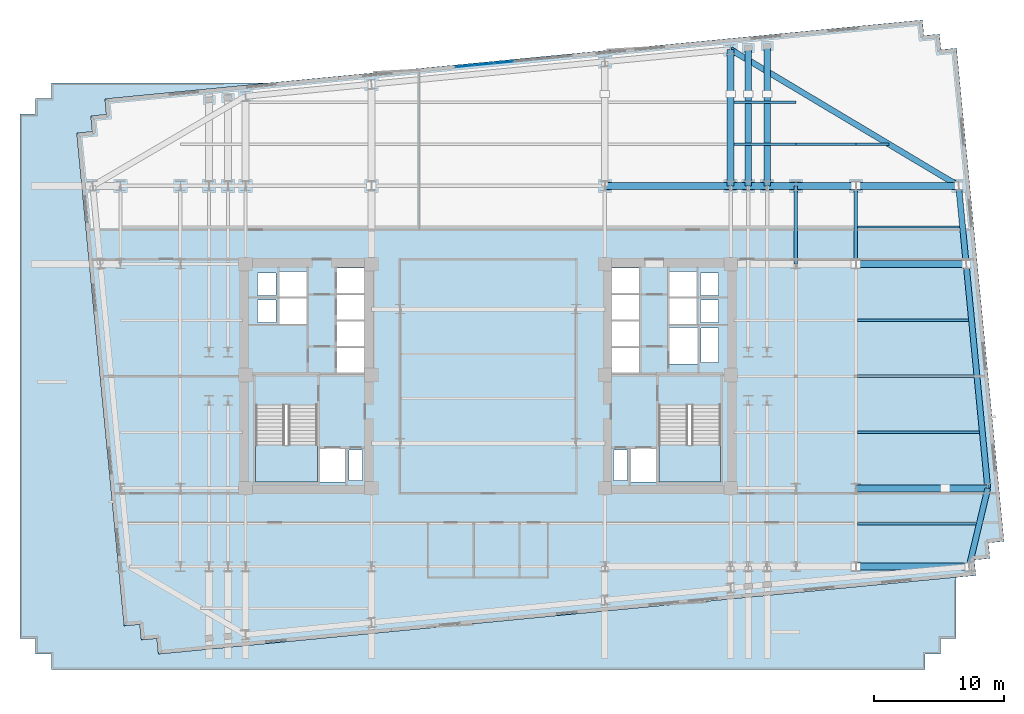
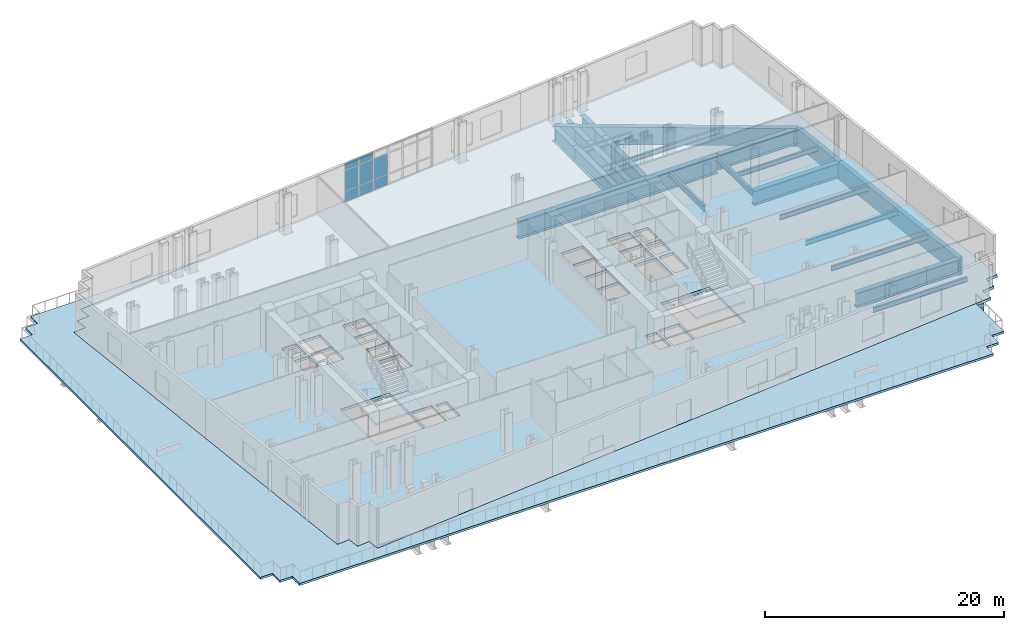
# One storey, part 4 of 14: 27 beams, 8 plates, 4 slabs, 3 elements without a shape of their own.
"""IFC4 building model written with IfcOpenShell, lengths in metres."""

from ifc_helpers import new_model, si_unit, direction, frame, origin, origin_2d, place, context, subcontext, project, spatial, polyline, rectangle, i_section, outline, extrude, material, layer, layer_set, material_profile, profile_set, type_object, element, aggregate, save


model = new_model("IFC4")

# Units and contexts
model_context = context("Model", 3, precision=1e-05, world=origin(), true_north=direction((0.0, 1.0)))
body_context = subcontext(model_context, "Body", "Model", "MODEL_VIEW")
ifc_project = project(units=[si_unit("LENGTHUNIT", "METRE"), si_unit("AREAUNIT", "SQUARE_METRE"), si_unit("VOLUMEUNIT", "CUBIC_METRE"), si_unit("PLANEANGLEUNIT", "RADIAN"), si_unit("MASSUNIT", "GRAM", prefix="KILO")], contexts=[model_context])

# Site, building, storey
site_placement = place(None, origin())
site = spatial("IfcSite", under=ifc_project, at=site_placement, CompositionType="ELEMENT")
building_placement = place(site_placement, origin())
building = spatial("IfcBuilding", under=site, at=building_placement, Name="Velakula Bourse", CompositionType="ELEMENT")
storey_placement = place(building_placement, frame((0.0, 0.0, 70.0)))
storey = spatial("IfcBuildingStorey", under=building, at=storey_placement, Name="L18", CompositionType="ELEMENT", Elevation=70.0)

# Beams
ifc_material_1 = material(Name="Steel IS 2062 Grade 350 (E350)", Category="steel")
ifc_material_profile_1 = material_profile(ifc_material_1, i_section(OverallWidth=0.25, OverallDepth=0.60009765625, WebThickness=0.01171875, FlangeThickness=0.023681640625, at=origin_2d()), Name="Steel IS 2062 Grade 350 (E350)")
ifc_profile_set_1 = profile_set([ifc_material_profile_1], Name="Steel IS 2062 Grade 350 (E350)")
beam_type_1 = type_object("IfcBeamType", Name="BM-GRD-600H", PredefinedType="BEAM", material=ifc_profile_set_1)
for number, where, z_axis, x_axis, name in (
    (1, (23.60009765625, 8.60009765625, -0.580078125), (0.0, 1.0, 0.0), (-1.0, 0.0, 0.0), "L18 Fulcrum Grid Girder MWG-ENS3"),
    (2, (28.199951171875, 8.60009765625, -0.580078125), (0.0, 1.0, 0.0), (-1.0, 0.0, 0.0), "L18 Fulcrum Grid Girder WNG-ENS3"),
):
    element("IfcBeam", number, at=place(storey_placement, frame(where, z_axis=z_axis, x_axis=x_axis)), inside=storey, type_object=beam_type_1, Name=name, PredefinedType="BEAM", context=body_context, shape_type="SweptSolid", body=[
        extrude(i_section(OverallWidth=0.25, OverallDepth=0.60009765625, WebThickness=0.01171875, FlangeThickness=0.023681640625, at=origin_2d()), origin(), (0.0, 0.0, 1.0), 6.0),
    ])
ifc_material_profile_2 = material_profile(ifc_material_1, i_section(OverallWidth=0.179931640625, OverallDepth=0.5, WebThickness=0.01025390625, FlangeThickness=0.01708984375, at=origin_2d()), Name="Steel IS 2062 Grade 350 (E350)")
ifc_profile_set_2 = profile_set([ifc_material_profile_2], Name="Steel IS 2062 Grade 350 (E350)")
beam_type_2 = type_object("IfcBeamType", Name="JST-TWR-500", PredefinedType="JOIST", material=ifc_profile_set_2)
beam_1_placement = place(storey_placement, frame((28.324951171875, -11.300048828125, -0.530029296875), z_axis=(1.0, 0.0, 0.0), x_axis=(0.0, 1.0, 0.0)))
element("IfcBeam", 3, at=beam_1_placement, inside=storey, type_object=beam_type_2, Name="L18 Trading Floor Composite Joist 11", PredefinedType="JOIST", context=body_context, shape_type="SweptSolid", body=[
    extrude(i_section(OverallWidth=0.179931640625, OverallDepth=0.5, WebThickness=0.01025390625, FlangeThickness=0.01708984375, at=origin_2d()), origin(), (0.0, 0.0, 1.0), 9.119384765625),
])
beam_2_placement = place(storey_placement, frame((28.324951171875, 11.449951171875, -0.530029296875), z_axis=(1.0, 0.0, 0.0), x_axis=(0.0, 1.0, 0.0)))
element("IfcBeam", 4, at=beam_2_placement, inside=storey, type_object=beam_type_2, Name="L18 Trading Floor Composite Joist 19", PredefinedType="JOIST", context=body_context, shape_type="SweptSolid", body=[
    extrude(i_section(OverallWidth=0.179931640625, OverallDepth=0.5, WebThickness=0.01025390625, FlangeThickness=0.01708984375, at=origin_2d()), origin(), (0.0, 0.0, 1.0), 7.838134765625),
])
beam_3_placement = place(storey_placement, frame((18.860107421875, 17.800048828125, -0.530029296875), z_axis=(1.0, 0.0, 0.0), x_axis=(0.0, 1.0, 0.0)))
element("IfcBeam", 5, at=beam_3_placement, inside=storey, type_object=beam_type_2, Name="L18 Trading Floor Composite Joist 24", PredefinedType="JOIST", context=body_context, shape_type="SweptSolid", body=[
    extrude(i_section(OverallWidth=0.179931640625, OverallDepth=0.5, WebThickness=0.01025390625, FlangeThickness=0.01708984375, at=origin_2d()), origin(), (0.0, 0.0, 1.0), 4.739990234375),
])
beam_4_placement = place(storey_placement, frame((23.60009765625, 17.800048828125, -0.530029296875), z_axis=(1.0, 0.0, 0.0), x_axis=(0.0, 1.0, 0.0)))
element("IfcBeam", 6, at=beam_4_placement, inside=storey, type_object=beam_type_2, Name="L18 Trading Floor Composite Joist 25", PredefinedType="JOIST", context=body_context, shape_type="SweptSolid", body=[
    extrude(i_section(OverallWidth=0.179931640625, OverallDepth=0.5, WebThickness=0.01025390625, FlangeThickness=0.01708984375, at=origin_2d()), origin(), (0.0, 0.0, 1.0), 4.599853515625),
])
beam_5_placement = place(storey_placement, frame((28.199951171875, 17.800048828125, -0.530029296875), z_axis=(1.0, 0.0, 0.0), x_axis=(0.0, 1.0, 0.0)))
element("IfcBeam", 7, at=beam_5_placement, inside=storey, type_object=beam_type_2, Name="L18 Trading Floor Composite Joist 26", PredefinedType="JOIST", context=body_context, shape_type="SweptSolid", body=[
    extrude(i_section(OverallWidth=0.179931640625, OverallDepth=0.5, WebThickness=0.01025390625, FlangeThickness=0.01708984375, at=origin_2d()), origin(), (0.0, 0.0, 1.0), 2.53173828125),
])
beam_6_placement = place(storey_placement, frame((18.860107421875, 21.0, -0.530029296875), z_axis=(1.0, 0.0, 0.0), x_axis=(0.0, 1.0, 0.0)))
element("IfcBeam", 8, at=beam_6_placement, inside=storey, type_object=beam_type_2, Name="L18 Trading Floor Composite Joist 30", PredefinedType="JOIST", context=body_context, shape_type="SweptSolid", body=[
    extrude(i_section(OverallWidth=0.179931640625, OverallDepth=0.5, WebThickness=0.01025390625, FlangeThickness=0.01708984375, at=origin_2d()), origin(), (0.0, 0.0, 1.0), 4.739990234375),
])
beam_7_placement = place(storey_placement, frame((28.324951171875, -4.300048828125, -0.530029296875), z_axis=(1.0, 0.0, 0.0), x_axis=(0.0, 1.0, 0.0)))
element("IfcBeam", 9, at=beam_7_placement, inside=storey, type_object=beam_type_2, Name="L18 Trading Floor Composite Joist 37", PredefinedType="JOIST", context=body_context, shape_type="SweptSolid", body=[
    extrude(i_section(OverallWidth=0.179931640625, OverallDepth=0.5, WebThickness=0.01025390625, FlangeThickness=0.01708984375, at=origin_2d()), origin(), (0.0, 0.0, 1.0), 9.354736328125),
])
beam_8_placement = place(storey_placement, frame((28.324951171875, 0.0, -0.530029296875), z_axis=(1.0, 0.0, 0.0), x_axis=(0.0, 1.0, 0.0)))
element("IfcBeam", 10, at=beam_8_placement, inside=storey, type_object=beam_type_2, Name="L18 Trading Floor Composite Joist 42", PredefinedType="JOIST", context=body_context, shape_type="SweptSolid", body=[
    extrude(i_section(OverallWidth=0.179931640625, OverallDepth=0.5, WebThickness=0.01025390625, FlangeThickness=0.01708984375, at=origin_2d()), origin(), (0.0, 0.0, 1.0), 8.940673828125),
])
beam_9_placement = place(storey_placement, frame((28.324951171875, 4.300048828125, -0.530029296875), z_axis=(1.0, 0.0, 0.0), x_axis=(0.0, 1.0, 0.0)))
element("IfcBeam", 11, at=beam_9_placement, inside=storey, type_object=beam_type_2, Name="L18 Trading Floor Composite Joist 47", PredefinedType="JOIST", context=body_context, shape_type="SweptSolid", body=[
    extrude(i_section(OverallWidth=0.179931640625, OverallDepth=0.5, WebThickness=0.01025390625, FlangeThickness=0.01708984375, at=origin_2d()), origin(), (0.0, 0.0, 1.0), 8.526611328125),
])
ifc_material_2 = material(Name="Concrete M50 (fck 50 MPa)", Category="concrete")
ifc_material_profile_3 = material_profile(ifc_material_2, rectangle(XDim=0.449951171875, YDim=1.800048828125, at=origin_2d()), Name="Concrete M50 (fck 50 MPa)")
ifc_profile_set_3 = profile_set([ifc_material_profile_3], Name="Concrete M50 (fck 50 MPa)")
beam_type_3 = type_object("IfcBeamType", Name="SPN-TRF-1800", PredefinedType="SPANDREL", material=ifc_profile_set_3)
beam_10_placement = place(storey_placement, frame((36.88818359375, -14.60009765625, -1.179931640625), z_axis=(0.232091371601, 0.972693988482, 0.0), x_axis=(-0.972693988482, 0.232091371601, 0.0)))
element("IfcBeam", 12, at=beam_10_placement, inside=storey, type_object=beam_type_3, Name="L18 Brick-Faced Precast Spandrel E1-E2", PredefinedType="SPANDREL", context=body_context, shape_type="SweptSolid", body=[
    extrude(rectangle(XDim=0.449951171875, YDim=1.800048828125, at=origin_2d()), origin(), (0.0, 0.0, 1.0), 6.16845703125),
])
beam_11_placement = place(storey_placement, frame((38.31982421875, -8.60009765625, -1.179931640625), z_axis=(-0.095849167925, 0.995395869495, 0.0), x_axis=(-0.995395869495, -0.095849167925, 0.0)))
element("IfcBeam", 13, at=beam_11_placement, inside=storey, type_object=beam_type_3, Name="L18 Brick-Faced Precast Spandrel E2-E3", PredefinedType="SPANDREL", context=body_context, shape_type="SweptSolid", body=[
    extrude(rectangle(XDim=0.449951171875, YDim=1.800048828125, at=origin_2d()), origin(), (0.0, 0.0, 1.0), 17.27978515625),
])
beam_12_placement = place(storey_placement, frame((36.66357421875, 8.60009765625, -1.179931640625), z_axis=(-0.095829714309, 0.995397742541, 0.0), x_axis=(-0.995397742541, -0.095829714309, 0.0)))
element("IfcBeam", 14, at=beam_12_placement, inside=storey, type_object=beam_type_3, Name="L18 Brick-Faced Precast Spandrel E3-E4", PredefinedType="SPANDREL", context=body_context, shape_type="SweptSolid", body=[
    extrude(rectangle(XDim=0.449951171875, YDim=1.800048828125, at=origin_2d()), origin(), (0.0, 0.0, 1.0), 6.02783203125),
])
beam_13_placement = place(storey_placement, frame((36.0859375, 14.60009765625, -1.179931640625), z_axis=(-0.858375715449, 0.513021569846, 0.0), x_axis=(-0.513021569846, -0.858375715449, 0.0)))
element("IfcBeam", 15, at=beam_13_placement, inside=storey, type_object=beam_type_3, Name="L18 Brick-Faced Precast Spandrel E4-N4", PredefinedType="SPANDREL", context=body_context, shape_type="SweptSolid", body=[
    extrude(rectangle(XDim=0.449951171875, YDim=1.800048828125, at=origin_2d()), origin(), (0.0, 0.0, 1.0), 20.370849609375),
])
ifc_material_3 = material(Name="Steel IS 2062 Grade 450 (E450)", Category="steel")
ifc_material_profile_4 = material_profile(ifc_material_3, i_section(OverallWidth=0.52001953125, OverallDepth=1.5, WebThickness=0.030029296875, FlangeThickness=0.048095703125, at=origin_2d()), Name="Steel IS 2062 Grade 450 (E450)")
ifc_profile_set_4 = profile_set([ifc_material_profile_4], Name="Steel IS 2062 Grade 450 (E450)")
beam_type_4 = type_object("IfcBeamType", Name="TB-CANT-1500", PredefinedType="BEAM", material=ifc_profile_set_4)
beam_14_placement = place(storey_placement, frame((18.60009765625, 14.60009765625, -1.030029296875), z_axis=(0.0, 1.0, 0.0), x_axis=(-1.0, 0.0, 0.0)))
element("IfcBeam", 16, at=beam_14_placement, inside=storey, type_object=beam_type_4, Name="L18 Collinear Transfer Back-Span Girder N4", PredefinedType="BEAM", context=body_context, shape_type="SweptSolid", body=[
    extrude(i_section(OverallWidth=0.52001953125, OverallDepth=1.5, WebThickness=0.030029296875, FlangeThickness=0.048095703125, at=origin_2d()), origin(), (0.0, 0.0, 1.0), 7.0498046875),
])
beam_15_placement = place(storey_placement, frame((18.60009765625, 21.64990234375, -1.030029296875), z_axis=(0.0, 1.0, 0.0), x_axis=(-1.0, 0.0, 0.0)))
element("IfcBeam", 17, at=beam_15_placement, inside=storey, type_object=beam_type_4, Name="L18 Primary Cantilever Transfer Chord N4", PredefinedType="BEAM", context=body_context, shape_type="SweptSolid", body=[
    extrude(i_section(OverallWidth=0.52001953125, OverallDepth=1.5, WebThickness=0.030029296875, FlangeThickness=0.048095703125, at=origin_2d()), origin(), (0.0, 0.0, 1.0), 3.40087890625),
])
beam_16_placement = place(storey_placement, frame((28.199951171875, -14.60009765625, -1.030029296875), z_axis=(1.0, 0.0, 0.0), x_axis=(0.0, 1.0, 0.0)))
element("IfcBeam", 18, at=beam_16_placement, inside=storey, type_object=beam_type_4, Name="L18 Primary Cantilever Transfer Chord E1", PredefinedType="BEAM", context=body_context, shape_type="SweptSolid", body=[
    extrude(i_section(OverallWidth=0.52001953125, OverallDepth=1.5, WebThickness=0.030029296875, FlangeThickness=0.048095703125, at=origin_2d()), origin(), (0.0, 0.0, 1.0), 8.688232421875),
])
beam_17_placement = place(storey_placement, frame((28.199951171875, -8.60009765625, -1.030029296875), z_axis=(1.0, 0.0, 0.0), x_axis=(0.0, 1.0, 0.0)))
element("IfcBeam", 19, at=beam_17_placement, inside=storey, type_object=beam_type_4, Name="L18 Collinear Transfer Back-Span Girder E2", PredefinedType="BEAM", context=body_context, shape_type="SweptSolid", body=[
    extrude(i_section(OverallWidth=0.52001953125, OverallDepth=1.5, WebThickness=0.030029296875, FlangeThickness=0.048095703125, at=origin_2d()), origin(), (0.0, 0.0, 1.0), 6.85009765625),
])
beam_18_placement = place(storey_placement, frame((35.050048828125, -8.60009765625, -1.030029296875), z_axis=(1.0, 0.0, 0.0), x_axis=(0.0, 1.0, 0.0)))
element("IfcBeam", 20, at=beam_18_placement, inside=storey, type_object=beam_type_4, Name="L18 Primary Cantilever Transfer Chord E2", PredefinedType="BEAM", context=body_context, shape_type="SweptSolid", body=[
    extrude(i_section(OverallWidth=0.52001953125, OverallDepth=1.5, WebThickness=0.030029296875, FlangeThickness=0.048095703125, at=origin_2d()), origin(), (0.0, 0.0, 1.0), 3.269775390625),
])
beam_19_placement = place(storey_placement, frame((28.199951171875, 8.60009765625, -1.030029296875), z_axis=(1.0, 0.0, 0.0), x_axis=(0.0, 1.0, 0.0)))
element("IfcBeam", 21, at=beam_19_placement, inside=storey, type_object=beam_type_4, Name="L18 Primary Cantilever Transfer Chord E3", PredefinedType="BEAM", context=body_context, shape_type="SweptSolid", body=[
    extrude(i_section(OverallWidth=0.52001953125, OverallDepth=1.5, WebThickness=0.030029296875, FlangeThickness=0.048095703125, at=origin_2d()), origin(), (0.0, 0.0, 1.0), 8.463623046875),
])
beam_20_placement = place(storey_placement, frame((28.199951171875, 14.60009765625, -1.030029296875), z_axis=(1.0, 0.0, 0.0), x_axis=(0.0, 1.0, 0.0)))
element("IfcBeam", 22, at=beam_20_placement, inside=storey, type_object=beam_type_4, Name="L18 Primary Cantilever Transfer Chord E4", PredefinedType="BEAM", context=body_context, shape_type="SweptSolid", body=[
    extrude(i_section(OverallWidth=0.52001953125, OverallDepth=1.5, WebThickness=0.030029296875, FlangeThickness=0.048095703125, at=origin_2d()), origin(), (0.0, 0.0, 1.0), 7.885986328125),
])
beam_21_placement = place(storey_placement, frame((19.949951171875, 14.60009765625, -1.030029296875), z_axis=(0.0, 1.0, 0.0), x_axis=(-1.0, 0.0, 0.0)))
element("IfcBeam", 23, at=beam_21_placement, inside=storey, type_object=beam_type_4, Name="L18 Collinear Transfer Back-Span Girder P07", PredefinedType="BEAM", context=body_context, shape_type="SweptSolid", body=[
    extrude(i_section(OverallWidth=0.52001953125, OverallDepth=1.5, WebThickness=0.030029296875, FlangeThickness=0.048095703125, at=origin_2d()), origin(), (0.0, 0.0, 1.0), 7.0498046875),
])
beam_22_placement = place(storey_placement, frame((19.949951171875, 21.64990234375, -1.030029296875), z_axis=(0.0, 1.0, 0.0), x_axis=(-1.0, 0.0, 0.0)))
element("IfcBeam", 24, at=beam_22_placement, inside=storey, type_object=beam_type_4, Name="L18 Primary Cantilever Transfer Chord P07", PredefinedType="BEAM", context=body_context, shape_type="SweptSolid", body=[
    extrude(i_section(OverallWidth=0.52001953125, OverallDepth=1.5, WebThickness=0.030029296875, FlangeThickness=0.048095703125, at=origin_2d()), origin(), (0.0, 0.0, 1.0), 3.531005859375),
])
beam_23_placement = place(storey_placement, frame((21.39990234375, 14.60009765625, -1.030029296875), z_axis=(0.0, 1.0, 0.0), x_axis=(-1.0, 0.0, 0.0)))
element("IfcBeam", 25, at=beam_23_placement, inside=storey, type_object=beam_type_4, Name="L18 Collinear Transfer Back-Span Girder P08", PredefinedType="BEAM", context=body_context, shape_type="SweptSolid", body=[
    extrude(i_section(OverallWidth=0.52001953125, OverallDepth=1.5, WebThickness=0.030029296875, FlangeThickness=0.048095703125, at=origin_2d()), origin(), (0.0, 0.0, 1.0), 7.0498046875),
])
beam_24_placement = place(storey_placement, frame((21.39990234375, 21.64990234375, -1.030029296875), z_axis=(0.0, 1.0, 0.0), x_axis=(-1.0, 0.0, 0.0)))
element("IfcBeam", 26, at=beam_24_placement, inside=storey, type_object=beam_type_4, Name="L18 Primary Cantilever Transfer Chord P08", PredefinedType="BEAM", context=body_context, shape_type="SweptSolid", body=[
    extrude(i_section(OverallWidth=0.52001953125, OverallDepth=1.5, WebThickness=0.030029296875, FlangeThickness=0.048095703125, at=origin_2d()), origin(), (0.0, 0.0, 1.0), 3.670654296875),
])
ifc_material_profile_5 = material_profile(ifc_material_3, i_section(OverallWidth=0.550048828125, OverallDepth=1.800048828125, WebThickness=0.031982421875, FlangeThickness=0.048095703125, at=origin_2d()), Name="Steel IS 2062 Grade 450 (E450)")
ifc_profile_set_5 = profile_set([ifc_material_profile_5], Name="Steel IS 2062 Grade 450 (E450)")
beam_type_5 = type_object("IfcBeamType", Name="TB-CANT-1800", PredefinedType="BEAM", material=ifc_profile_set_5)
beam_25_placement = place(storey_placement, frame((8.949951171875, 14.60009765625, -1.179931640625), z_axis=(1.0, 0.0, 0.0), x_axis=(0.0, 1.0, 0.0)))
element("IfcBeam", 27, at=beam_25_placement, inside=storey, type_object=beam_type_5, Name="L18 Collinear Transfer Back-Span Girder E4", PredefinedType="BEAM", context=body_context, shape_type="SweptSolid", body=[
    extrude(i_section(OverallWidth=0.550048828125, OverallDepth=1.800048828125, WebThickness=0.031982421875, FlangeThickness=0.048095703125, at=origin_2d()), origin(), (0.0, 0.0, 1.0), 19.25),
])

# Curtain wall, plates
ifc_material_4 = material(Name="Anodised bronze architectural aluminium", Category="aluminium")
ifc_layer_1 = layer(ifc_material_4, 0.1650390625, Name="Anodised bronze architectural aluminium", Category="aluminium")
ifc_layer_set_1 = layer_set([ifc_layer_1], Name="Anodised bronze architectural aluminium")
curtain_wall_type = type_object("IfcCurtainWallType", Name="CW-SL1", PredefinedType="NOTDEFINED", material=ifc_layer_set_1)
curtain_wall_placement = place(storey_placement, origin())
curtain_wall = element("IfcCurtainWall", 28, at=curtain_wall_placement, inside=storey, type_object=curtain_wall_type, Name="L18 Sky-Lobby Feature Curtain Wall", PredefinedType="NOTDEFINED")
ifc_material_5 = material(Name="Double-glazed solar-control Low-E glass", Category="glass")
ifc_layer_2 = layer(ifc_material_5, 0.02490234375, Name="Double-glazed solar-control Low-E glass", Category="glass")
ifc_layer_set_2 = layer_set([ifc_layer_2], Name="Double-glazed solar-control Low-E glass")
plate_type = type_object("IfcPlateType", Name="PNL-CW-SL1", PredefinedType="CURTAIN_PANEL", material=ifc_layer_set_2)
plate_1_placement = place(storey_placement, frame((-1.75341796875, 23.7841796875, 0.06005859375), z_axis=(0.0, 0.0, 1.0), x_axis=(0.995396256016, 0.095845153814, 0.0)))
plate_1 = element("IfcPlate", 29, at=plate_1_placement, type_object=plate_type, Name="CW-SL1 panel 1.1", PredefinedType="CURTAIN_PANEL", context=body_context, shape_type="SweptSolid", body=[
    extrude(rectangle(XDim=1.409912109375, YDim=0.028076171875, at=origin_2d()), origin(), (0.0, 0.0, 1.0), 1.010009765625),
])
plate_2_placement = place(storey_placement, frame((-1.75341796875, 23.7841796875, 1.1298828125), z_axis=(0.0, 0.0, 1.0), x_axis=(0.995396256016, 0.095845153814, 0.0)))
plate_2 = element("IfcPlate", 30, at=plate_2_placement, type_object=plate_type, Name="CW-SL1 panel 1.2", PredefinedType="CURTAIN_PANEL", context=body_context, shape_type="SweptSolid", body=[
    extrude(rectangle(XDim=1.409912109375, YDim=0.028076171875, at=origin_2d()), origin(), (0.0, 0.0, 1.0), 2.090087890625),
])
plate_3_placement = place(storey_placement, frame((-1.75341796875, 23.7841796875, 3.2802734375), z_axis=(0.0, 0.0, 1.0), x_axis=(0.995396256016, 0.095845153814, 0.0)))
plate_3 = element("IfcPlate", 31, at=plate_3_placement, type_object=plate_type, Name="CW-SL1 panel 1.3", PredefinedType="CURTAIN_PANEL", context=body_context, shape_type="SweptSolid", body=[
    extrude(rectangle(XDim=1.409912109375, YDim=0.028076171875, at=origin_2d()), origin(), (0.0, 0.0, 1.0), 0.659912109375),
])
plate_4_placement = place(storey_placement, frame((-0.275390625, 23.926513671875, 0.06005859375), z_axis=(0.0, 0.0, 1.0), x_axis=(0.995396256016, 0.095845153814, 0.0)))
plate_4 = element("IfcPlate", 32, at=plate_4_placement, type_object=plate_type, Name="CW-SL1 panel 2.1", PredefinedType="CURTAIN_PANEL", context=body_context, shape_type="SweptSolid", body=[
    extrude(rectangle(XDim=1.43994140625, YDim=0.028076171875, at=origin_2d()), origin(), (0.0, 0.0, 1.0), 1.010009765625),
])
plate_5_placement = place(storey_placement, frame((-0.275390625, 23.926513671875, 1.1298828125), z_axis=(0.0, 0.0, 1.0), x_axis=(0.995396256016, 0.095845153814, 0.0)))
plate_5 = element("IfcPlate", 33, at=plate_5_placement, type_object=plate_type, Name="CW-SL1 panel 2.2", PredefinedType="CURTAIN_PANEL", context=body_context, shape_type="SweptSolid", body=[
    extrude(rectangle(XDim=1.43994140625, YDim=0.028076171875, at=origin_2d()), origin(), (0.0, 0.0, 1.0), 2.090087890625),
])
plate_6_placement = place(storey_placement, frame((-0.275390625, 23.926513671875, 3.2802734375), z_axis=(0.0, 0.0, 1.0), x_axis=(0.995396256016, 0.095845153814, 0.0)))
plate_6 = element("IfcPlate", 34, at=plate_6_placement, type_object=plate_type, Name="CW-SL1 panel 2.3", PredefinedType="CURTAIN_PANEL", context=body_context, shape_type="SweptSolid", body=[
    extrude(rectangle(XDim=1.43994140625, YDim=0.028076171875, at=origin_2d()), origin(), (0.0, 0.0, 1.0), 0.659912109375),
])
plate_7_placement = place(storey_placement, frame((1.2177734375, 24.0703125, 0.06005859375), z_axis=(0.0, 0.0, 1.0), x_axis=(0.995396256016, 0.095845153814, 0.0)))
plate_7 = element("IfcPlate", 35, at=plate_7_placement, type_object=plate_type, Name="CW-SL1 panel 3.1", PredefinedType="CURTAIN_PANEL", context=body_context, shape_type="SweptSolid", body=[
    extrude(rectangle(XDim=1.43994140625, YDim=0.028076171875, at=origin_2d()), origin(), (0.0, 0.0, 1.0), 1.010009765625),
])
plate_8_placement = place(storey_placement, frame((1.2177734375, 24.0703125, 1.1298828125), z_axis=(0.0, 0.0, 1.0), x_axis=(0.995396256016, 0.095845153814, 0.0)))
plate_8 = element("IfcPlate", 36, at=plate_8_placement, type_object=plate_type, Name="CW-SL1 panel 3.2", PredefinedType="CURTAIN_PANEL", context=body_context, shape_type="SweptSolid", body=[
    extrude(rectangle(XDim=1.43994140625, YDim=0.028076171875, at=origin_2d()), origin(), (0.0, 0.0, 1.0), 2.090087890625),
])
aggregate(curtain_wall, [plate_1, plate_2, plate_3, plate_4, plate_5, plate_6, plate_7, plate_8])

# Stair, slab
ifc_material_6 = material(Name="Concrete M45 (fck 45 MPa)", Category="concrete")
stair_type = type_object("IfcStairType", Name="STR-DOG-435", PredefinedType="HALF_TURN_STAIR", material=ifc_material_6)
stair_1_placement = place(storey_placement, origin())
stair_1 = element("IfcStair", 37, at=stair_1_placement, inside=storey, type_object=stair_type, Name="L18 West Core Exit Stair ST-W1", PredefinedType="HALF_TURN_STAIR")
ifc_layer_3 = layer(ifc_material_6, 0.199951171875, Name="Concrete M45 (fck 45 MPa)", Category="concrete")
ifc_layer_set_3 = layer_set([ifc_layer_3], Name="Concrete M45 (fck 45 MPa)")
slab_type_1 = type_object("IfcSlabType", Name="SLB-STAIR-LND-200", PredefinedType="LANDING", material=ifc_layer_set_3)
slab_1_placement = place(storey_placement, frame((0.0, 0.0, 1.89990234375)))
slab_1 = element("IfcSlab", 38, at=slab_1_placement, type_object=slab_type_1, Name="ST-W1 landing 1", PredefinedType="LANDING", context=body_context, shape_type="SweptSolid", body=[
    extrude(outline(polyline([(-17.820068359375, -5.280029296875), (-17.820068359375, -8.10009765625), (-13.10009765625, -8.10009765625), (-13.10009765625, -5.280029296875), (-17.820068359375, -5.280029296875)])), origin(), (0.0, 0.0, 1.0), 0.2001953125),
])
aggregate(stair_1, [slab_1])

stair_2_placement = place(storey_placement, origin())
stair_2 = element("IfcStair", 39, at=stair_2_placement, inside=storey, type_object=stair_type, Name="L18 East Core Exit Stair ST-E1", PredefinedType="HALF_TURN_STAIR")
slab_2_placement = place(storey_placement, frame((0.0, 0.0, 1.89990234375)))
slab_2 = element("IfcSlab", 40, at=slab_2_placement, type_object=slab_type_1, Name="ST-E1 landing 1", PredefinedType="LANDING", context=body_context, shape_type="SweptSolid", body=[
    extrude(outline(polyline([(13.10009765625, -5.280029296875), (13.10009765625, -8.10009765625), (17.820068359375, -8.10009765625), (17.820068359375, -5.280029296875), (13.10009765625, -5.280029296875)])), origin(), (0.0, 0.0, 1.0), 0.2001953125),
])
aggregate(stair_2, [slab_2])

# Slabs
ifc_layer_4 = layer(ifc_material_2, 0.219970703125, Name="Concrete M50 (fck 50 MPa)", Category="concrete")
ifc_layer_set_4 = layer_set([ifc_layer_4], Name="Concrete M50 (fck 50 MPa)")
slab_type_2 = type_object("IfcSlabType", Name="SLB-TERR-220", PredefinedType="ROOF", material=ifc_layer_set_4)
slab_3_placement = place(storey_placement, frame((0.0, 0.0, -0.219970703125)))
element("IfcSlab", 41, at=slab_3_placement, inside=storey, type_object=slab_type_2, Name="L18 Block B2 Triple-Height Sky-Garden Veranda", PredefinedType="ROOF", context=body_context, shape_type="SweptSolid", body=[
    extrude(outline(polyline([(35.89990234375, -20.10009765625), (34.699951171875, -20.10009765625), (34.699951171875, -21.300048828125), (33.5, -21.300048828125), (33.5, -22.5), (-33.5, -22.5), (-33.5, -21.300048828125), (-34.699951171875, -21.300048828125), (-34.699951171875, -20.10009765625), (-35.89990234375, -20.10009765625), (-35.89990234375, 20.10009765625), (-34.699951171875, 20.10009765625), (-34.699951171875, 21.300048828125), (-33.5, 21.300048828125), (-33.5, 22.5), (-16.551513671875, 22.5), (-29.38427734375, 21.264404296875), (-29.271240234375, 20.08984375), (-29.27099609375, 20.087890625), (-29.271240234375, 20.0859375), (-29.271484375, 20.083984375), (-29.27197265625, 20.08203125), (-29.272705078125, 20.080078125), (-29.2734375, 20.078369140625), (-29.2744140625, 20.07666015625), (-29.275634765625, 20.0751953125), (-29.277099609375, 20.07373046875), (-29.2783203125, 20.072509765625), (-29.280029296875, 20.0712890625), (-29.28173828125, 20.0703125), (-29.283447265625, 20.0693359375), (-29.285400390625, 20.068603515625), (-29.287109375, 20.068115234375), (-29.2890625, 20.068115234375), (-30.463623046875, 19.954833984375), (-30.3505859375, 18.7802734375), (-30.3505859375, 18.7783203125), (-30.3505859375, 18.7763671875), (-30.350830078125, 18.7744140625), (-30.351318359375, 18.7724609375), (-30.35205078125, 18.770751953125), (-30.352783203125, 18.768798828125), (-30.35400390625, 18.76708984375), (-30.35498046875, 18.765625), (-30.3564453125, 18.76416015625), (-30.35791015625, 18.762939453125), (-30.359375, 18.76171875), (-30.361083984375, 18.7607421875), (-30.36279296875, 18.760009765625), (-30.36474609375, 18.75927734375), (-30.36669921875, 18.7587890625), (-30.36865234375, 18.758544921875), (-31.543212890625, 18.6455078125), (-27.90478515625, -19.139892578125), (-26.730224609375, -19.02685546875), (-26.728271484375, -19.026611328125), (-26.726318359375, -19.02685546875), (-26.724365234375, -19.027099609375), (-26.722412109375, -19.027587890625), (-26.720703125, -19.0283203125), (-26.718994140625, -19.029052734375), (-26.71728515625, -19.030029296875), (-26.7158203125, -19.03125), (-26.714111328125, -19.03271484375), (-26.712890625, -19.033935546875), (-26.711669921875, -19.03564453125), (-26.710693359375, -19.037353515625), (-26.7099609375, -19.0390625), (-26.709228515625, -19.041015625), (-26.708740234375, -19.042724609375), (-26.70849609375, -19.044921875), (-26.595458984375, -20.21923828125), (-25.4208984375, -20.106201171875), (-25.4189453125, -20.106201171875), (-25.4169921875, -20.106201171875), (-25.4150390625, -20.1064453125), (-25.4130859375, -20.10693359375), (-25.4111328125, -20.107666015625), (-25.409423828125, -20.1083984375), (-25.40771484375, -20.109619140625), (-25.40625, -20.110595703125), (-25.40478515625, -20.112060546875), (-25.4033203125, -20.113525390625), (-25.402099609375, -20.114990234375), (-25.401123046875, -20.11669921875), (-25.400390625, -20.118408203125), (-25.399658203125, -20.120361328125), (-25.3994140625, -20.122314453125), (-25.39892578125, -20.124267578125), (-25.285888671875, -21.298828125), (35.89990234375, -15.4072265625), (35.89990234375, -20.10009765625)])), origin(), (0.0, 0.0, 1.0), 0.219970703125),
])
ifc_layer_5 = layer(ifc_material_2, 0.280029296875, Name="Concrete M50 (fck 50 MPa)", Category="concrete")
ifc_layer_set_5 = layer_set([ifc_layer_5], Name="Concrete M50 (fck 50 MPa)")
slab_type_3 = type_object("IfcSlabType", Name="SLB-TRF-280", PredefinedType="FLOOR", material=ifc_layer_set_5)
slab_4_placement = place(storey_placement, frame((0.0, 0.0, -0.280029296875)))
element("IfcSlab", 42, at=slab_4_placement, inside=storey, type_object=slab_type_3, Name="L18 Suspended Structural Floor Slab", PredefinedType="FLOOR", context=body_context, shape_type="SweptSolid", body=[
    extrude(outline(polyline([(-25.303955078125, -21.320556640625), (37.406005859375, -15.2822265625), (37.291015625, -14.087890625), (38.485595703125, -13.972900390625), (38.37060546875, -12.7783203125), (39.56494140625, -12.663330078125), (35.9228515625, 25.16162109375), (34.728271484375, 25.046630859375), (34.61328125, 26.2412109375), (33.4189453125, 26.126220703125), (33.303955078125, 27.320556640625), (-29.406005859375, 21.2822265625), (-29.291015625, 20.087890625), (-30.485595703125, 19.972900390625), (-30.37060546875, 18.7783203125), (-31.56494140625, 18.663330078125), (-27.9228515625, -19.16162109375), (-26.728271484375, -19.046630859375), (-26.61328125, -20.2412109375), (-25.4189453125, -20.126220703125), (-25.303955078125, -21.320556640625)]), holes=[polyline([(-17.820068359375, -8.10009765625), (-13.10009765625, -8.10009765625), (-13.10009765625, -2.199951171875), (-17.820068359375, -2.199951171875), (-17.820068359375, -8.10009765625)]), polyline([(13.10009765625, -8.10009765625), (17.820068359375, -8.10009765625), (17.820068359375, -2.199951171875), (13.10009765625, -2.199951171875), (13.10009765625, -8.10009765625)]), polyline([(-12.89990234375, -8.10009765625), (-10.949951171875, -8.10009765625), (-10.949951171875, -5.550048828125), (-12.89990234375, -5.550048828125), (-12.89990234375, -8.10009765625)]), polyline([(10.949951171875, -8.10009765625), (12.89990234375, -8.10009765625), (12.89990234375, -5.550048828125), (10.949951171875, -5.550048828125), (10.949951171875, -8.10009765625)]), polyline([(13.89990234375, 0.919921875), (16.050048828125, 0.919921875), (16.050048828125, 3.719970703125), (13.89990234375, 3.719970703125), (13.89990234375, 0.919921875)]), polyline([(-10.679931640625, -7.97998046875), (-9.6201171875, -7.97998046875), (-9.6201171875, -5.669921875), (-10.679931640625, -5.669921875), (-10.679931640625, -7.97998046875)]), polyline([(-17.679931640625, 4.139892578125), (-16.27001953125, 4.139892578125), (-16.27001953125, 5.85009765625), (-17.679931640625, 5.85009765625), (-17.679931640625, 4.139892578125)]), polyline([(-17.679931640625, 6.2099609375), (-16.27001953125, 6.2099609375), (-16.27001953125, 7.919921875), (-17.679931640625, 7.919921875), (-17.679931640625, 6.2099609375)]), polyline([(9.6201171875, -7.97998046875), (10.679931640625, -7.97998046875), (10.679931640625, -5.669921875), (9.6201171875, -5.669921875), (9.6201171875, -7.97998046875)]), polyline([(16.27001953125, 4.139892578125), (17.679931640625, 4.139892578125), (17.679931640625, 5.85009765625), (16.27001953125, 5.85009765625), (16.27001953125, 4.139892578125)]), polyline([(16.27001953125, 6.2099609375), (17.679931640625, 6.2099609375), (17.679931640625, 7.919921875), (16.27001953125, 7.919921875), (16.27001953125, 6.2099609375)]), polyline([(16.320068359375, 1.0400390625), (17.679931640625, 1.0400390625), (17.679931640625, 3.699951171875), (16.320068359375, 3.699951171875), (16.320068359375, 1.0400390625)]), polyline([(-11.60009765625, 0.280029296875), (-9.5, 0.280029296875), (-9.5, 2.199951171875), (-11.60009765625, 2.199951171875), (-11.60009765625, 0.280029296875)]), polyline([(-11.60009765625, 2.31005859375), (-9.5, 2.31005859375), (-9.5, 4.22998046875), (-11.60009765625, 4.22998046875), (-11.60009765625, 2.31005859375)]), polyline([(-11.60009765625, 4.340087890625), (-9.5, 4.340087890625), (-9.5, 6.260009765625), (-11.60009765625, 6.260009765625), (-11.60009765625, 4.340087890625)]), polyline([(-11.60009765625, 6.3701171875), (-9.5, 6.3701171875), (-9.5, 8.2900390625), (-11.60009765625, 8.2900390625), (-11.60009765625, 6.3701171875)]), polyline([(9.5, 0.280029296875), (11.60009765625, 0.280029296875), (11.60009765625, 2.199951171875), (9.5, 2.199951171875), (9.5, 0.280029296875)]), polyline([(9.5, 2.31005859375), (11.60009765625, 2.31005859375), (11.60009765625, 4.22998046875), (9.5, 4.22998046875), (9.5, 2.31005859375)]), polyline([(9.5, 4.340087890625), (11.60009765625, 4.340087890625), (11.60009765625, 6.260009765625), (9.5, 6.260009765625), (9.5, 4.340087890625)]), polyline([(9.5, 6.3701171875), (11.60009765625, 6.3701171875), (11.60009765625, 8.2900390625), (9.5, 8.2900390625), (9.5, 6.3701171875)]), polyline([(-16.0, 4.02001953125), (-13.89990234375, 4.02001953125), (-13.89990234375, 5.969970703125), (-16.0, 5.969970703125), (-16.0, 4.02001953125)]), polyline([(-16.0, 6.090087890625), (-13.89990234375, 6.090087890625), (-13.89990234375, 8.0400390625), (-16.0, 8.0400390625), (-16.0, 6.090087890625)]), polyline([(13.89990234375, 4.02001953125), (16.0, 4.02001953125), (16.0, 5.969970703125), (13.89990234375, 5.969970703125), (13.89990234375, 4.02001953125)]), polyline([(13.89990234375, 6.090087890625), (16.0, 6.090087890625), (16.0, 8.0400390625), (13.89990234375, 8.0400390625), (13.89990234375, 6.090087890625)])]), origin(), (0.0, 0.0, 1.0), 0.280029296875),
])

save(model, "model.ifc")
